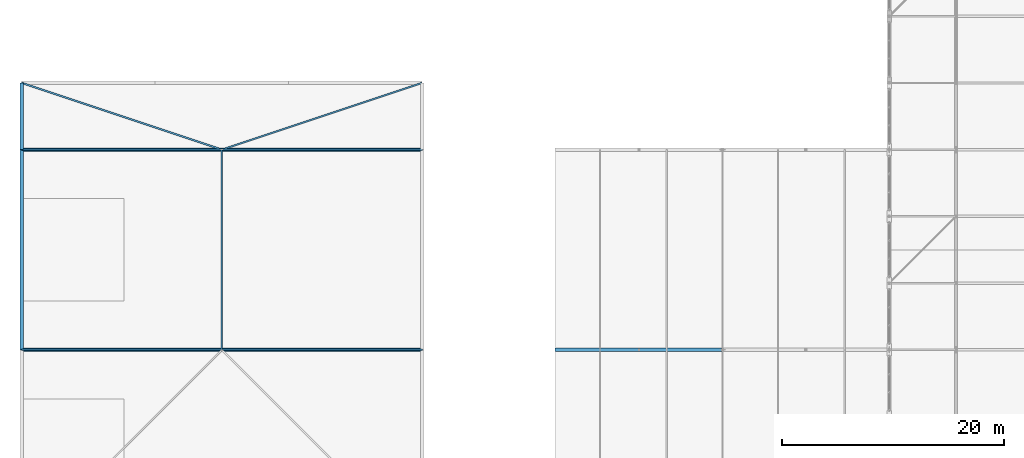
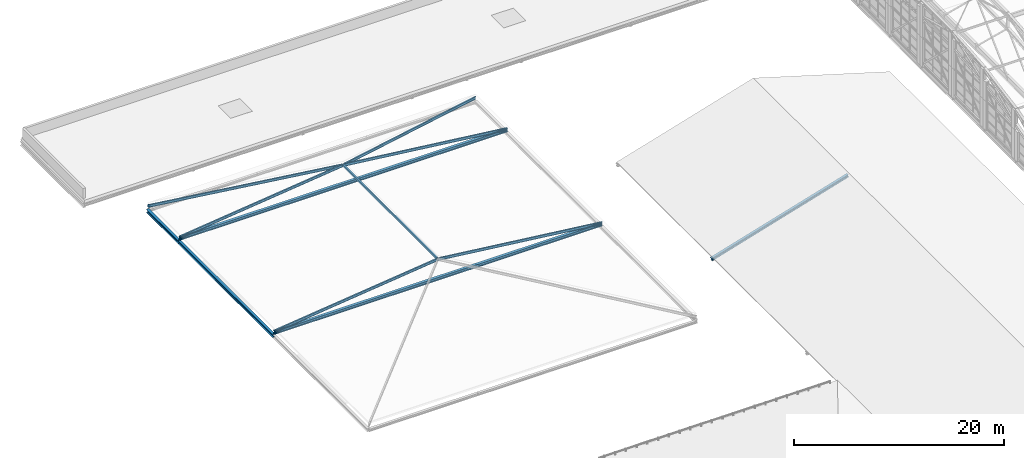
# One storey, part 60 of 204: 10 members, 2 beams.
"""IFC4 building model written with IfcOpenShell, lengths in metres."""

from ifc_helpers import new_model, si_unit, direction, frame, origin, origin_2d, place, context, subcontext, project, spatial, hollow_rectangle, i_section, extrude, material, material_profile, profile_set, type_object, element, save


model = new_model("IFC4")

# Units and contexts
model_context = context("Model", 3, precision=1e-05, world=origin(), true_north=direction((0.0, 1.0)))
body_context = subcontext(model_context, "Body", "Model", "MODEL_VIEW")
ifc_project = project(units=[si_unit("LENGTHUNIT", "METRE"), si_unit("AREAUNIT", "SQUARE_METRE"), si_unit("VOLUMEUNIT", "CUBIC_METRE"), si_unit("PLANEANGLEUNIT", "RADIAN"), si_unit("MASSUNIT", "GRAM", prefix="KILO")], contexts=[model_context])

# Site, building, storey
site_placement = place(None, origin())
site = spatial("IfcSite", under=ifc_project, at=site_placement, CompositionType="ELEMENT")
building_placement = place(site_placement, origin())
building = spatial("IfcBuilding", under=site, at=building_placement, Name="Zilviju Railside Exhibition Hall", CompositionType="ELEMENT")
storey_placement = place(building_placement, frame((0.0, 0.0, 21.0)))
storey = spatial("IfcBuildingStorey", under=building, at=storey_placement, Name="RF", CompositionType="ELEMENT", Elevation=21.0)

# Beams
ifc_material_1 = material(Name="Steel S355J2", Category="steel")
ifc_material_profile_1 = material_profile(ifc_material_1, i_section(OverallWidth=0.300048828125, OverallDepth=0.35009765625, WebThickness=0.010009765625, FlangeThickness=0.017578125, at=origin_2d()), Name="HEA 360")
ifc_profile_set_1 = profile_set([ifc_material_profile_1], Name="Steel S355J2")
beam_type = type_object("IfcBeamType", Name="BM-HEA360", PredefinedType="BEAM", material=ifc_profile_set_1)
beam_1_placement = place(storey_placement, frame((0.0, 102.0, -0.5), z_axis=(0.0, 1.0, 0.0), x_axis=(-1.0, 0.0, 0.0)))
element("IfcBeam", 1, at=beam_1_placement, inside=storey, type_object=beam_type, Name="Directorate Eave Beam X=0.0", PredefinedType="BEAM", context=body_context, shape_type="SweptSolid", body=[
    extrude(i_section(OverallWidth=0.300048828125, OverallDepth=0.35009765625, WebThickness=0.010009765625, FlangeThickness=0.017578125, at=origin_2d()), origin(), (0.0, 0.0, 1.0), 18.0),
])
beam_2_placement = place(storey_placement, frame((0.0, 120.0, -0.5), z_axis=(0.0, 1.0, 0.0), x_axis=(-1.0, 0.0, 0.0)))
element("IfcBeam", 2, at=beam_2_placement, inside=storey, type_object=beam_type, Name="Directorate Eave Beam X=0.0", PredefinedType="BEAM", context=body_context, shape_type="SweptSolid", body=[
    extrude(i_section(OverallWidth=0.300048828125, OverallDepth=0.35009765625, WebThickness=0.010009765625, FlangeThickness=0.017578125, at=origin_2d()), origin(), (0.0, 0.0, 1.0), 6.0),
])

# Members
ifc_material_profile_2 = material_profile(ifc_material_1, i_section(OverallWidth=0.300048828125, OverallDepth=0.35009765625, WebThickness=0.010009765625, FlangeThickness=0.017578125, at=origin_2d()), Name="HEA 360")
ifc_profile_set_2 = profile_set([ifc_material_profile_2], Name="Steel S355J2")
member_type_1 = type_object("IfcMemberType", Name="TR-CH-HEA360", PredefinedType="CHORD", material=ifc_profile_set_2)
for number, where, z_axis, x_axis, name in (
    (3, (0.0, 102.0, -0.10009765625), (1.0, 0.0, 0.0), (0.0, 1.0, 0.0), "Directorate Wing Roof Tie Y=102.0"),
    (4, (0.0, 120.0, -0.10009765625), (1.0, 0.0, 0.0), (0.0, 1.0, 0.0), "Directorate Wing Roof Tie Y=120.0"),
):
    element("IfcMember", number, at=place(storey_placement, frame(where, z_axis=z_axis, x_axis=x_axis)), inside=storey, type_object=member_type_1, Name=name, PredefinedType="CHORD", context=body_context, shape_type="SweptSolid", body=[
        extrude(i_section(OverallWidth=0.300048828125, OverallDepth=0.35009765625, WebThickness=0.010009765625, FlangeThickness=0.017578125, at=origin_2d()), origin(), (0.0, 0.0, 1.0), 36.0),
    ])
ifc_material_profile_3 = material_profile(ifc_material_1, i_section(OverallWidth=0.300048828125, OverallDepth=0.2900390625, WebThickness=0.008544921875, FlangeThickness=0.013916015625, at=origin_2d()), Name="HEA 300")
ifc_profile_set_3 = profile_set([ifc_material_profile_3], Name="Steel S355J2")
member_type_2 = type_object("IfcMemberType", Name="TR-RAF-HEA300", PredefinedType="RAFTER", material=ifc_profile_set_3)
member_1_placement = place(storey_placement, frame((48.0, 102.0, -8.39990234375), z_axis=(0.957826285221, 0.0, 0.287347885566), x_axis=(0.0, 1.0, 0.0)))
element("IfcMember", 5, at=member_1_placement, inside=storey, type_object=member_type_2, Name="Concourse Saddle West Rafter Y=102.0", PredefinedType="RAFTER", context=body_context, shape_type="SweptSolid", body=[
    extrude(i_section(OverallWidth=0.300048828125, OverallDepth=0.2900390625, WebThickness=0.008544921875, FlangeThickness=0.013916015625, at=origin_2d()), origin(), (0.0, 0.0, 1.0), 15.660400390625),
])
ifc_material_profile_4 = material_profile(ifc_material_1, i_section(OverallWidth=0.14990234375, OverallDepth=0.300048828125, WebThickness=0.007080078125, FlangeThickness=0.0107421875, at=origin_2d()), Name="IPE 300")
ifc_profile_set_4 = profile_set([ifc_material_profile_4], Name="Steel S355J2")
member_type_3 = type_object("IfcMemberType", Name="TR-RAF-IPE300", PredefinedType="RAFTER", material=ifc_profile_set_4)
for number, where, z_axis, x_axis, name in (
    (6, (0.0, 102.0, 0.0), (0.993262518823, 0.0, 0.11588601599), (0.0, 1.0, 0.0), "Directorate Wing West Rafter Y=102.0"),
    (7, (18.0, 102.0, 2.10009765625), (0.993262518823, 0.0, -0.11588601599), (0.0, 1.0, 0.0), "Directorate Wing East Rafter Y=102.0"),
    (8, (0.0, 120.0, 0.0), (0.993262518823, 0.0, 0.11588601599), (0.0, 1.0, 0.0), "Directorate Wing West Rafter Y=120.0"),
    (9, (18.0, 120.0, 2.10009765625), (0.993262518823, 0.0, -0.11588601599), (0.0, 1.0, 0.0), "Directorate Wing East Rafter Y=120.0"),
):
    element("IfcMember", number, at=place(storey_placement, frame(where, z_axis=z_axis, x_axis=x_axis)), inside=storey, type_object=member_type_3, Name=name, PredefinedType="RAFTER", context=body_context, shape_type="SweptSolid", body=[
        extrude(i_section(OverallWidth=0.14990234375, OverallDepth=0.300048828125, WebThickness=0.007080078125, FlangeThickness=0.0107421875, at=origin_2d()), origin(), (0.0, 0.0, 1.0), 18.1220703125),
    ])
for number, where, z_axis, x_axis, name in (
    (10, (0.0, 126.0, 0.0), (0.94292492866, -0.314308309553, 0.110013024039), (0.316227766017, 0.948683298051, 0.0), "Directorate Hip Rafter"),
    (11, (36.0, 126.0, 0.0), (-0.94292492866, -0.314308309553, 0.110013024039), (0.316227766017, -0.948683298051, 0.0), "Directorate Hip Rafter"),
):
    element("IfcMember", number, at=place(storey_placement, frame(where, z_axis=z_axis, x_axis=x_axis)), inside=storey, type_object=member_type_3, Name=name, PredefinedType="RAFTER", context=body_context, shape_type="SweptSolid", body=[
        extrude(i_section(OverallWidth=0.14990234375, OverallDepth=0.300048828125, WebThickness=0.007080078125, FlangeThickness=0.0107421875, at=origin_2d()), origin(), (0.0, 0.0, 1.0), 19.089599609375),
    ])
ifc_material_2 = material(Name="Steel S355ML", Category="steel")
ifc_material_profile_5 = material_profile(ifc_material_2, hollow_rectangle(XDim=0.14990234375, YDim=0.25, WallThickness=0.010009765625, at=origin_2d()), Name="RHS 250x150x10.0")
ifc_profile_set_5 = profile_set([ifc_material_profile_5], Name="Steel S355ML")
member_type_4 = type_object("IfcMemberType", Name="TR-RAF-RHS250", PredefinedType="RAFTER", material=ifc_profile_set_5)
member_2_placement = place(storey_placement, frame((18.0, 102.0, 2.10009765625), z_axis=(0.0, 1.0, 0.0), x_axis=(-1.0, 0.0, 0.0)))
element("IfcMember", 12, at=member_2_placement, inside=storey, type_object=member_type_4, Name="Directorate Wing Roof Ridge", PredefinedType="RAFTER", context=body_context, shape_type="SweptSolid", body=[
    extrude(hollow_rectangle(XDim=0.14990234375, YDim=0.25, WallThickness=0.010009765625, at=origin_2d()), origin(), (0.0, 0.0, 1.0), 18.0),
])

save(model, "model.ifc")
